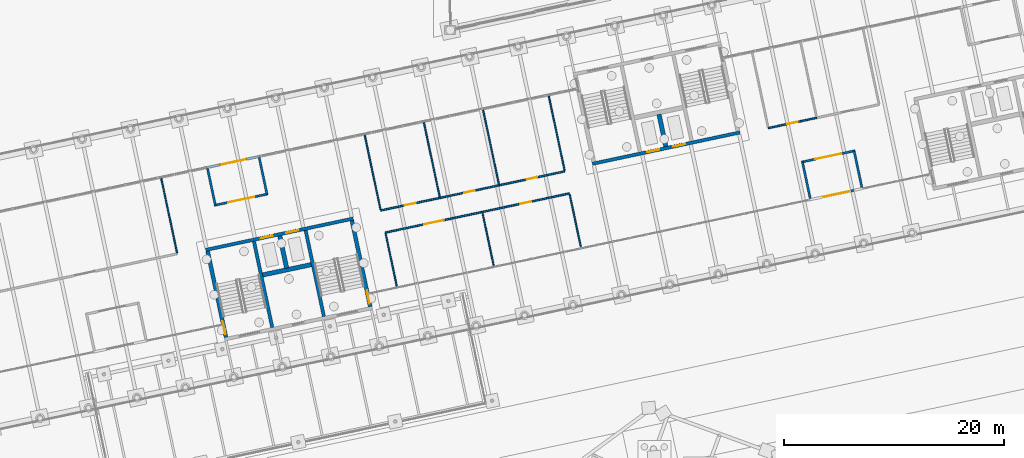
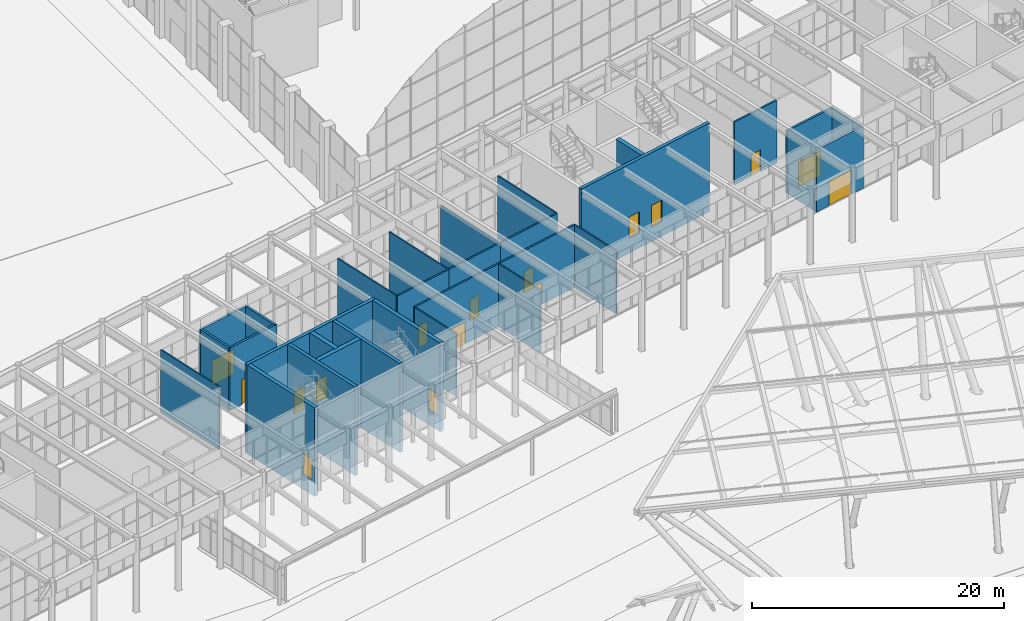
# One storey, part 172 of 239: 31 walls, 16 doors, 16 openings.
"""IFC4 building model written with IfcOpenShell, lengths in metres."""

from ifc_helpers import new_model, si_unit, direction, frame, frame_2d, origin, place, context, subcontext, project, spatial, rectangle, extrude, material, layer, layer_set, type_object, element, fill, save


model = new_model("IFC4")

# Units and contexts
model_context = context("Model", 3, precision=1e-05, world=origin(), true_north=direction((0.0, 1.0)))
body_context = subcontext(model_context, "Body", "Model", "MODEL_VIEW")
ifc_project = project(units=[si_unit("LENGTHUNIT", "METRE"), si_unit("AREAUNIT", "SQUARE_METRE"), si_unit("VOLUMEUNIT", "CUBIC_METRE"), si_unit("PLANEANGLEUNIT", "RADIAN"), si_unit("MASSUNIT", "GRAM", prefix="KILO")], contexts=[model_context])

# Site, building, storey
site_placement = place(None, origin())
site = spatial("IfcSite", under=ifc_project, at=site_placement, CompositionType="ELEMENT")
building_placement = place(site_placement, origin())
building = spatial("IfcBuilding", under=site, at=building_placement, Name="Okhra Congress Centre", CompositionType="ELEMENT")
storey_placement = place(building_placement, origin())
storey = spatial("IfcBuildingStorey", under=building, at=storey_placement, Name="L00", CompositionType="ELEMENT", Elevation=0.0)

# Wall, opening, door
ifc_material_1 = material(Name="Aluminium frame, triple glazing, laminated safety glass", Category="aluminium")
ifc_layer_1 = layer(ifc_material_1, 0.199951171875)
ifc_layer_set_1 = layer_set([ifc_layer_1], Name="Glazed entrance screen 200")
wall_type_1 = type_object("IfcWallType", Name="Glazed entrance screen 200", PredefinedType="SOLIDWALL", material=ifc_layer_set_1)
wall_1_placement = place(storey_placement, frame((188.134765625, 58.814208984375, 0.0), z_axis=(0.0, 0.0, 1.0), x_axis=(0.978146935828, 0.207914818928, 0.0)))
wall_1 = element("IfcWall", 1, at=wall_1_placement, inside=storey, type_object=wall_type_1, Name="Entrance screen 3", PredefinedType="SOLIDWALL", context=body_context, shape_type="SweptSolid", body=[
    extrude(rectangle(XDim=5.0, YDim=0.199951171875, at=frame_2d((2.5, 0.0))), origin(), (0.0, 0.0, 1.0), 6.050048828125),
])
opening_1_placement = place(wall_1_placement, frame((1.300048828125, 0.0, 0.0)))
opening_1 = element("IfcOpeningElement", 2, at=opening_1_placement, cuts=wall_1, Name="Opening L00-285", PredefinedType="OPENING", context=body_context, shape_type="SweptSolid", body=[
    extrude(rectangle(XDim=2.39990234375, YDim=2.39990234375, at=frame_2d((1.199951171875, 1.199951171875))), frame((0.0, 0.10986328125, 0.0), z_axis=(0.0, -1.0, 0.0), x_axis=(1.0, 0.0, 0.0)), (0.0, 0.0, 1.0), 0.219970703125),
])
ifc_material_2 = material(Name="Aluminium-framed toughened glass sliding leaves, thermally broken", Category="aluminium")
door_type_1 = type_object("IfcDoorType", Name="Automatic sliding glazed door 2400x2400", OperationType="DOUBLE_DOOR_SLIDING", PredefinedType="DOOR", material=ifc_material_2)
door_1_placement = place(opening_1_placement, frame((2.39990234375, 0.0, 0.0), z_axis=(0.0, 0.0, 1.0), x_axis=(-1.0, 0.0, 0.0)))
door_1 = element("IfcDoor", 3, at=door_1_placement, inside=storey, type_object=door_type_1, Name="Door L00-285", OperationType="DOUBLE_DOOR_SLIDING", OverallHeight=2.39990234375, OverallWidth=2.39990234375, PredefinedType="DOOR", context=body_context, shape_type="SweptSolid", body=[
    extrude(rectangle(XDim=2.39990234375, YDim=2.39990234375, at=frame_2d((1.199951171875, 1.199951171875))), frame((0.0, 0.02490234375, 0.0), z_axis=(0.0, -1.0, 0.0), x_axis=(1.0, 0.0, 0.0)), (0.0, 0.0, 1.0), 0.050048828125),
])
fill(opening_1, door_1)

wall_2_placement = place(storey_placement, frame((133.330078125, 61.7333984375, 0.0), z_axis=(0.0, 0.0, 1.0), x_axis=(0.978149046495, 0.207904888932, 0.0)))
wall_2 = element("IfcWall", 4, at=wall_2_placement, inside=storey, type_object=wall_type_1, Name="Entrance screen 5", PredefinedType="SOLIDWALL", context=body_context, shape_type="SweptSolid", body=[
    extrude(rectangle(XDim=5.000244140625, YDim=0.199951171875, at=frame_2d((2.5, 0.0))), origin(), (0.0, 0.0, 1.0), 6.050048828125),
])
opening_2_placement = place(wall_2_placement, frame((1.300048828125, 0.0, 0.0)))
opening_2 = element("IfcOpeningElement", 5, at=opening_2_placement, cuts=wall_2, Name="Opening L00-289", PredefinedType="OPENING", context=body_context, shape_type="SweptSolid", body=[
    extrude(rectangle(XDim=2.39990234375, YDim=2.39990234375, at=frame_2d((1.199951171875, 1.199951171875))), frame((0.0, 0.10986328125, 0.0), z_axis=(0.0, -1.0, 0.0), x_axis=(1.0, 0.0, 0.0)), (0.0, 0.0, 1.0), 0.219970703125),
])
door_2_placement = place(opening_2_placement, origin())
door_2 = element("IfcDoor", 6, at=door_2_placement, inside=storey, type_object=door_type_1, Name="Door L00-289", OperationType="DOUBLE_DOOR_SLIDING", OverallHeight=2.39990234375, OverallWidth=2.39990234375, PredefinedType="DOOR", context=body_context, shape_type="SweptSolid", body=[
    extrude(rectangle(XDim=2.39990234375, YDim=2.39990234375, at=frame_2d((1.199951171875, 1.199951171875))), frame((0.0, 0.02490234375, 0.0), z_axis=(0.0, -1.0, 0.0), x_axis=(1.0, 0.0, 0.0)), (0.0, 0.0, 1.0), 0.050048828125),
])
fill(opening_2, door_2)

ifc_layer_2 = layer(ifc_material_1, 0.199951171875)
ifc_layer_set_2 = layer_set([ifc_layer_2], Name="Glazed internal screen 200")
wall_type_2 = type_object("IfcWallType", Name="Glazed internal screen 200", PredefinedType="SOLIDWALL", material=ifc_layer_set_2)
wall_3_placement = place(storey_placement, frame((187.406982421875, 62.237548828125, 0.0), z_axis=(0.0, 0.0, 1.0), x_axis=(0.978149046495, 0.207904888932, 0.0)))
wall_3 = element("IfcWall", 7, at=wall_3_placement, inside=storey, type_object=wall_type_2, Name="Vestibule inner screen 3", PredefinedType="SOLIDWALL", context=body_context, shape_type="SweptSolid", body=[
    extrude(rectangle(XDim=5.000244140625, YDim=0.199951171875, at=frame_2d((2.5, 0.0))), origin(), (0.0, 0.0, 1.0), 6.050048828125),
])
opening_3_placement = place(wall_3_placement, frame((1.300048828125, 0.0, 0.0)))
opening_3 = element("IfcOpeningElement", 8, at=opening_3_placement, cuts=wall_3, Name="Opening L00-286", PredefinedType="OPENING", context=body_context, shape_type="SweptSolid", body=[
    extrude(rectangle(XDim=2.39990234375, YDim=2.39990234375, at=frame_2d((1.199951171875, 1.199951171875))), frame((0.0, 0.10986328125, 0.0), z_axis=(0.0, -1.0, 0.0), x_axis=(1.0, 0.0, 0.0)), (0.0, 0.0, 1.0), 0.219970703125),
])
door_3_placement = place(opening_3_placement, origin())
door_3 = element("IfcDoor", 9, at=door_3_placement, inside=storey, type_object=door_type_1, Name="Door L00-286", OperationType="DOUBLE_DOOR_SLIDING", OverallHeight=2.39990234375, OverallWidth=2.39990234375, PredefinedType="DOOR", context=body_context, shape_type="SweptSolid", body=[
    extrude(rectangle(XDim=2.39990234375, YDim=2.39990234375, at=frame_2d((1.199951171875, 1.199951171875))), frame((0.0, 0.02490234375, 0.0), z_axis=(0.0, -1.0, 0.0), x_axis=(1.0, 0.0, 0.0)), (0.0, 0.0, 1.0), 0.050048828125),
])
fill(opening_3, door_3)

# Walls
for number, where, z_axis, x_axis, name in (
    (10, (188.211669921875, 58.932861328125, 0.0), (0.0, 0.0, 1.0), (-0.207881084728, 0.978154105758, 0.0), "Vestibule side screen 3a"),
    (11, (192.906982421875, 59.9306640625, 0.0), (0.0, 0.0, 1.0), (-0.207949787024, 0.97813950236, 0.0), "Vestibule side screen 3b"),
):
    element("IfcWall", number, at=place(storey_placement, frame(where, z_axis=z_axis, x_axis=x_axis)), inside=storey, type_object=wall_type_2, Name=name, PredefinedType="SOLIDWALL", context=body_context, shape_type="SweptSolid", body=[
        extrude(rectangle(XDim=3.39990234375, YDim=0.199951171875, at=frame_2d((1.699951171875, 0.0))), origin(), (0.0, 0.0, 1.0), 6.050048828125),
    ])

# Wall, opening, door
wall_4_placement = place(storey_placement, frame((134.057861328125, 58.309814453125, 0.0), z_axis=(0.0, 0.0, 1.0), x_axis=(0.978149046495, 0.207904888932, 0.0)))
wall_4 = element("IfcWall", 12, at=wall_4_placement, inside=storey, type_object=wall_type_2, Name="Vestibule inner screen 5", PredefinedType="SOLIDWALL", context=body_context, shape_type="SweptSolid", body=[
    extrude(rectangle(XDim=5.000244140625, YDim=0.199951171875, at=frame_2d((2.5, 0.0))), origin(), (0.0, 0.0, 1.0), 6.050048828125),
])
opening_4_placement = place(wall_4_placement, frame((1.300048828125, 0.0, 0.0)))
opening_4 = element("IfcOpeningElement", 13, at=opening_4_placement, cuts=wall_4, Name="Opening L00-290", PredefinedType="OPENING", context=body_context, shape_type="SweptSolid", body=[
    extrude(rectangle(XDim=2.39990234375, YDim=2.39990234375, at=frame_2d((1.199951171875, 1.199951171875))), frame((0.0, 0.10986328125, 0.0), z_axis=(0.0, -1.0, 0.0), x_axis=(1.0, 0.0, 0.0)), (0.0, 0.0, 1.0), 0.219970703125),
])
door_4_placement = place(opening_4_placement, frame((2.39990234375, 0.0, 0.0), z_axis=(0.0, 0.0, 1.0), x_axis=(-1.0, 0.0, 0.0)))
door_4 = element("IfcDoor", 14, at=door_4_placement, inside=storey, type_object=door_type_1, Name="Door L00-290", OperationType="DOUBLE_DOOR_SLIDING", OverallHeight=2.39990234375, OverallWidth=2.39990234375, PredefinedType="DOOR", context=body_context, shape_type="SweptSolid", body=[
    extrude(rectangle(XDim=2.39990234375, YDim=2.39990234375, at=frame_2d((1.199951171875, 1.199951171875))), frame((0.0, 0.02490234375, 0.0), z_axis=(0.0, -1.0, 0.0), x_axis=(1.0, 0.0, 0.0)), (0.0, 0.0, 1.0), 0.050048828125),
])
fill(opening_4, door_4)

# Walls
for number, where, z_axis, x_axis, name in (
    (15, (133.44873046875, 61.656494140625, 0.0), (0.0, 0.0, 1.0), (0.207949787024, -0.97813950236, 0.0), "Vestibule side screen 5a"),
    (16, (138.143798828125, 62.654296875, 0.0), (0.0, 0.0, 1.0), (0.207949787024, -0.97813950236, 0.0), "Vestibule side screen 5b"),
):
    element("IfcWall", number, at=place(storey_placement, frame(where, z_axis=z_axis, x_axis=x_axis)), inside=storey, type_object=wall_type_2, Name=name, PredefinedType="SOLIDWALL", context=body_context, shape_type="SweptSolid", body=[
        extrude(rectangle(XDim=3.39990234375, YDim=0.199951171875, at=frame_2d((1.699951171875, 0.0))), origin(), (0.0, 0.0, 1.0), 6.050048828125),
    ])
ifc_material_3 = material(Name="Gypsum board on steel studs", Category="steel")
ifc_layer_3 = layer(ifc_material_3, 0.125)
ifc_layer_set_3 = layer_set([ifc_layer_3], Name="Partition 125")
wall_type_3 = type_object("IfcWallType", Name="Partition 125", PredefinedType="PARTITIONING", material=ifc_layer_set_3)
for number, where, z_axis, x_axis, name in (
    (17, (129.24267578125, 60.762451171875, 0.0), (0.0, 0.0, 1.0), (0.207932543024, -0.978143168228, 0.0), "Room side wall 2b"),
    (18, (147.729736328125, 64.69189453125, 0.0), (0.0, 0.0, 1.0), (0.207898812171, -0.978150338086, 0.0), "Room side wall 3a"),
    (19, (153.109619140625, 65.83544921875, 0.0), (0.0, 0.0, 1.0), (0.207898812171, -0.978150338086, 0.0), "Room side wall 3b"),
    (20, (158.4892578125, 66.97900390625, 0.0), (0.0, 0.0, 1.0), (0.207932543024, -0.978143168228, 0.0), "Room side wall 4b"),
    (21, (164.4560546875, 68.247314453125, 0.0), (0.0, 0.0, 1.0), (0.207898812171, -0.978150338086, 0.0), "Room side wall 5b"),
):
    element("IfcWall", number, at=place(storey_placement, frame(where, z_axis=z_axis, x_axis=x_axis)), inside=storey, type_object=wall_type_3, Name=name, PredefinedType="PARTITIONING", context=body_context, shape_type="SweptSolid", body=[
        extrude(rectangle(XDim=6.925048828125, YDim=0.125, at=frame_2d((3.46240234375, 0.0))), origin(), (0.0, 0.0, 1.0), 6.10009765625),
    ])
for number, where, z_axis, x_axis, name in (
    (22, (150.65087890625, 50.948974609375, 0.0), (0.0, 0.0, 1.0), (-0.207903814067, 0.978149274956, 0.0), "Room side wall 8a"),
    (23, (159.454345703125, 52.820068359375, 0.0), (0.0, 0.0, 1.0), (-0.20795124237, 0.978139192956, 0.0), "Room side wall 8b"),
    (24, (167.377197265625, 54.504150390625, 0.0), (0.0, 0.0, 1.0), (-0.207903814067, 0.978149274956, 0.0), "Room side wall 9b"),
):
    element("IfcWall", number, at=place(storey_placement, frame(where, z_axis=z_axis, x_axis=x_axis)), inside=storey, type_object=wall_type_3, Name=name, PredefinedType="PARTITIONING", context=body_context, shape_type="SweptSolid", body=[
        extrude(rectangle(XDim=4.925048828125, YDim=0.125, at=frame_2d((2.46240234375, 0.0))), origin(), (0.0, 0.0, 1.0), 6.10009765625),
    ])

# Wall, opening, door
ifc_layer_4 = layer(ifc_material_3, 0.14990234375)
ifc_layer_set_4 = layer_set([ifc_layer_4], Name="Partition 150 EI 15")
wall_type_4 = type_object("IfcWallType", Name="Partition 150 EI 15", PredefinedType="PARTITIONING", material=ifc_layer_set_4)
wall_5_placement = place(storey_placement, frame((149.18505859375, 57.844970703125, 0.0), z_axis=(0.0, 0.0, 1.0), x_axis=(0.978155692013, 0.207873620698, 0.0)))
wall_5 = element("IfcWall", 25, at=wall_5_placement, inside=storey, type_object=wall_type_4, Name="Room front wall 3", PredefinedType="PARTITIONING", context=body_context, shape_type="SweptSolid", body=[
    extrude(rectangle(XDim=5.5, YDim=0.14990234375, at=frame_2d((2.75, 0.0))), origin(), (0.0, 0.0, 1.0), 6.10009765625),
])
opening_5_placement = place(wall_5_placement, frame((2.25, 0.0, 0.0)))
opening_5 = element("IfcOpeningElement", 26, at=opening_5_placement, cuts=wall_5, Name="Opening L00-295", PredefinedType="OPENING", context=body_context, shape_type="SweptSolid", body=[
    extrude(rectangle(XDim=1.0, YDim=2.10009765625, at=frame_2d((0.5, 1.050048828125))), frame((0.0, 0.0849609375, 0.0), z_axis=(0.0, -1.0, 0.0), x_axis=(1.0, 0.0, 0.0)), (0.0, 0.0, 1.0), 0.169921875),
])
ifc_material_4 = material(Name="Timber door leaf in steel frame", Category="steel")
door_type_2 = type_object("IfcDoorType", Name="Single swing door 1000x2100", OperationType="NOTDEFINED", PredefinedType="DOOR", material=ifc_material_4)
door_5_placement = place(opening_5_placement, origin())
door_5 = element("IfcDoor", 27, at=door_5_placement, inside=storey, type_object=door_type_2, Name="Door L00-295", OperationType="SINGLE_SWING_LEFT", OverallHeight=2.10009765625, OverallWidth=1.0, PredefinedType="DOOR", context=body_context, shape_type="SweptSolid", body=[
    extrude(rectangle(XDim=1.0, YDim=2.10009765625, at=frame_2d((0.5, 1.050048828125))), frame((0.0, 0.02490234375, 0.0), z_axis=(0.0, -1.0, 0.0), x_axis=(1.0, 0.0, 0.0)), (0.0, 0.0, 1.0), 0.050048828125),
])
fill(opening_5, door_5)

wall_6_placement = place(storey_placement, frame((154.56494140625, 58.98828125, 0.0), z_axis=(0.0, 0.0, 1.0), x_axis=(0.978146665439, 0.207916090984, 0.0)))
wall_6 = element("IfcWall", 28, at=wall_6_placement, inside=storey, type_object=wall_type_4, Name="Room front wall 4", PredefinedType="PARTITIONING", context=body_context, shape_type="SweptSolid", body=[
    extrude(rectangle(XDim=5.5, YDim=0.14990234375, at=frame_2d((2.75, 0.0))), origin(), (0.0, 0.0, 1.0), 6.10009765625),
])
opening_6_placement = place(wall_6_placement, frame((2.25, 0.0, 0.0)))
opening_6 = element("IfcOpeningElement", 29, at=opening_6_placement, cuts=wall_6, Name="Opening L00-296", PredefinedType="OPENING", context=body_context, shape_type="SweptSolid", body=[
    extrude(rectangle(XDim=1.0, YDim=2.10009765625, at=frame_2d((0.5, 1.050048828125))), frame((0.0, 0.0849609375, 0.0), z_axis=(0.0, -1.0, 0.0), x_axis=(1.0, 0.0, 0.0)), (0.0, 0.0, 1.0), 0.169921875),
])
door_6_placement = place(opening_6_placement, origin())
door_6 = element("IfcDoor", 30, at=door_6_placement, inside=storey, type_object=door_type_2, Name="Door L00-296", OperationType="SINGLE_SWING_RIGHT", OverallHeight=2.10009765625, OverallWidth=1.0, PredefinedType="DOOR", context=body_context, shape_type="SweptSolid", body=[
    extrude(rectangle(XDim=1.0, YDim=2.10009765625, at=frame_2d((0.5, 1.050048828125))), frame((0.0, 0.02490234375, 0.0), z_axis=(0.0, -1.0, 0.0), x_axis=(1.0, 0.0, 0.0)), (0.0, 0.0, 1.0), 0.050048828125),
])
fill(opening_6, door_6)

wall_7_placement = place(storey_placement, frame((159.94482421875, 60.1318359375, 0.0), z_axis=(0.0, 0.0, 1.0), x_axis=(0.978144913043, 0.207924335008, 0.0)))
wall_7 = element("IfcWall", 31, at=wall_7_placement, inside=storey, type_object=wall_type_4, Name="Room front wall 5", PredefinedType="PARTITIONING", context=body_context, shape_type="SweptSolid", body=[
    extrude(rectangle(XDim=6.099853515625, YDim=0.14990234375, at=frame_2d((3.0498046875, 0.0))), origin(), (0.0, 0.0, 1.0), 6.10009765625),
])
opening_7_placement = place(wall_7_placement, frame((2.550048828125, 0.0, 0.0)))
opening_7 = element("IfcOpeningElement", 32, at=opening_7_placement, cuts=wall_7, Name="Opening L00-297", PredefinedType="OPENING", context=body_context, shape_type="SweptSolid", body=[
    extrude(rectangle(XDim=1.0, YDim=2.10009765625, at=frame_2d((0.5, 1.050048828125))), frame((0.0, 0.0849609375, 0.0), z_axis=(0.0, -1.0, 0.0), x_axis=(1.0, 0.0, 0.0)), (0.0, 0.0, 1.0), 0.169921875),
])
door_7_placement = place(opening_7_placement, origin())
door_7 = element("IfcDoor", 33, at=door_7_placement, inside=storey, type_object=door_type_2, Name="Door L00-297", OperationType="SINGLE_SWING_LEFT", OverallHeight=2.10009765625, OverallWidth=1.0, PredefinedType="DOOR", context=body_context, shape_type="SweptSolid", body=[
    extrude(rectangle(XDim=1.0, YDim=2.10009765625, at=frame_2d((0.5, 1.050048828125))), frame((0.0, 0.02490234375, 0.0), z_axis=(0.0, -1.0, 0.0), x_axis=(1.0, 0.0, 0.0)), (0.0, 0.0, 1.0), 0.050048828125),
])
fill(opening_7, door_7)

wall_8_placement = place(storey_placement, frame((184.3984375, 65.32958984375, 0.0), z_axis=(0.0, 0.0, 1.0), x_axis=(0.978138577198, 0.207954138688, 0.0)))
wall_8 = element("IfcWall", 34, at=wall_8_placement, inside=storey, type_object=wall_type_4, Name="Room front wall 6", PredefinedType="PARTITIONING", context=body_context, shape_type="SweptSolid", body=[
    extrude(rectangle(XDim=4.5, YDim=0.14990234375, at=frame_2d((2.25, 0.0))), origin(), (0.0, 0.0, 1.0), 6.10009765625),
])
opening_8_placement = place(wall_8_placement, frame((1.75, 0.0, 0.0)))
opening_8 = element("IfcOpeningElement", 35, at=opening_8_placement, cuts=wall_8, Name="Opening L00-298", PredefinedType="OPENING", context=body_context, shape_type="SweptSolid", body=[
    extrude(rectangle(XDim=1.0, YDim=2.10009765625, at=frame_2d((0.5, 1.050048828125))), frame((0.0, 0.0849609375, 0.0), z_axis=(0.0, -1.0, 0.0), x_axis=(1.0, 0.0, 0.0)), (0.0, 0.0, 1.0), 0.169921875),
])
door_8_placement = place(opening_8_placement, origin())
door_8 = element("IfcDoor", 36, at=door_8_placement, inside=storey, type_object=door_type_2, Name="Door L00-298", OperationType="SINGLE_SWING_RIGHT", OverallHeight=2.10009765625, OverallWidth=1.0, PredefinedType="DOOR", context=body_context, shape_type="SweptSolid", body=[
    extrude(rectangle(XDim=1.0, YDim=2.10009765625, at=frame_2d((0.5, 1.050048828125))), frame((0.0, 0.02490234375, 0.0), z_axis=(0.0, -1.0, 0.0), x_axis=(1.0, 0.0, 0.0)), (0.0, 0.0, 1.0), 0.050048828125),
])
fill(opening_8, door_8)

wall_9_placement = place(storey_placement, frame((149.611328125, 55.839599609375, 0.0), z_axis=(0.0, 0.0, 1.0), x_axis=(0.978145267458, 0.207922667713, 0.0)))
wall_9 = element("IfcWall", 37, at=wall_9_placement, inside=storey, type_object=wall_type_4, Name="Room front wall 8", PredefinedType="PARTITIONING", context=body_context, shape_type="SweptSolid", body=[
    extrude(rectangle(XDim=9.000244140625, YDim=0.14990234375, at=frame_2d((4.5, 0.0))), origin(), (0.0, 0.0, 1.0), 6.10009765625),
])
opening_9_placement = place(wall_9_placement, frame((3.60009765625, 0.0, 0.0)))
opening_9 = element("IfcOpeningElement", 38, at=opening_9_placement, cuts=wall_9, Name="Opening L00-300", PredefinedType="OPENING", context=body_context, shape_type="SweptSolid", body=[
    extrude(rectangle(XDim=1.800048828125, YDim=2.10009765625, at=frame_2d((0.89990234375, 1.050048828125))), frame((0.0, 0.0849609375, 0.0), z_axis=(0.0, -1.0, 0.0), x_axis=(1.0, 0.0, 0.0)), (0.0, 0.0, 1.0), 0.169921875),
])
ifc_material_5 = material(Name="Timber door leaves in steel frame", Category="steel")
door_type_3 = type_object("IfcDoorType", Name="Double swing door 1800x2100", OperationType="NOTDEFINED", PredefinedType="DOOR", material=ifc_material_5)
door_9_placement = place(opening_9_placement, frame((1.800048828125, 0.0, 0.0), z_axis=(0.0, 0.0, 1.0), x_axis=(-1.0, 0.0, 0.0)))
door_9 = element("IfcDoor", 39, at=door_9_placement, inside=storey, type_object=door_type_3, Name="Door L00-300", OperationType="DOUBLE_DOOR_SINGLE_SWING", OverallHeight=2.10009765625, OverallWidth=1.800048828125, PredefinedType="DOOR", context=body_context, shape_type="SweptSolid", body=[
    extrude(rectangle(XDim=1.800048828125, YDim=2.10009765625, at=frame_2d((0.89990234375, 1.050048828125))), frame((0.0, 0.02490234375, 0.0), z_axis=(0.0, -1.0, 0.0), x_axis=(1.0, 0.0, 0.0)), (0.0, 0.0, 1.0), 0.050048828125),
])
fill(opening_9, door_9)

wall_10_placement = place(storey_placement, frame((158.414794921875, 57.7109375, 0.0), z_axis=(0.0, 0.0, 1.0), x_axis=(0.978146899108, 0.207914991681, 0.0)))
wall_10 = element("IfcWall", 40, at=wall_10_placement, inside=storey, type_object=wall_type_4, Name="Room front wall 9", PredefinedType="PARTITIONING", context=body_context, shape_type="SweptSolid", body=[
    extrude(rectangle(XDim=8.099853515625, YDim=0.14990234375, at=frame_2d((4.0498046875, 0.0))), origin(), (0.0, 0.0, 1.0), 6.10009765625),
])
opening_10_placement = place(wall_10_placement, frame((3.550048828125, 0.0, 0.0)))
opening_10 = element("IfcOpeningElement", 41, at=opening_10_placement, cuts=wall_10, Name="Opening L00-301", PredefinedType="OPENING", context=body_context, shape_type="SweptSolid", body=[
    extrude(rectangle(XDim=1.0, YDim=2.10009765625, at=frame_2d((0.5, 1.050048828125))), frame((0.0, 0.0849609375, 0.0), z_axis=(0.0, -1.0, 0.0), x_axis=(1.0, 0.0, 0.0)), (0.0, 0.0, 1.0), 0.169921875),
])
door_10_placement = place(opening_10_placement, frame((1.0, 0.0, 0.0), z_axis=(0.0, 0.0, 1.0), x_axis=(-1.0, 0.0, 0.0)))
door_10 = element("IfcDoor", 42, at=door_10_placement, inside=storey, type_object=door_type_2, Name="Door L00-301", OperationType="SINGLE_SWING_RIGHT", OverallHeight=2.10009765625, OverallWidth=1.0, PredefinedType="DOOR", context=body_context, shape_type="SweptSolid", body=[
    extrude(rectangle(XDim=1.0, YDim=2.10009765625, at=frame_2d((0.5, 1.050048828125))), frame((0.0, 0.02490234375, 0.0), z_axis=(0.0, -1.0, 0.0), x_axis=(1.0, 0.0, 0.0)), (0.0, 0.0, 1.0), 0.050048828125),
])
fill(opening_10, door_10)

# Wall, openings, doors
ifc_material_6 = material(Name="Concrete C35/45", Category="concrete")
ifc_layer_5 = layer(ifc_material_6, 0.300048828125)
ifc_layer_set_5 = layer_set([ifc_layer_5], Name="RC core wall 300 REI 120 C35/45")
wall_type_5 = type_object("IfcWallType", Name="RC core wall 300 REI 120 C35/45", PredefinedType="SHEAR", material=ifc_layer_set_5)
wall_11_placement = place(storey_placement, frame((133.282958984375, 54.26025390625, -1.39990234375), z_axis=(0.0, 0.0, 1.0), x_axis=(0.978147662755, 0.20791139903, 0.0)))
wall_11 = element("IfcWall", 43, at=wall_11_placement, inside=storey, type_object=wall_type_5, Name="BX.WALL.L00.K3T", PredefinedType="SHEAR", context=body_context, shape_type="SweptSolid", body=[
    extrude(rectangle(XDim=13.699951171875, YDim=0.300048828125, at=frame_2d((6.85009765625, 0.0))), origin(), (0.0, 0.0, 1.0), 8.599853515625),
])
opening_11_placement = place(wall_11_placement, frame((5.10009765625, 0.0, 1.39990234375)))
opening_11 = element("IfcOpeningElement", 44, at=opening_11_placement, cuts=wall_11, Name="Opening L00-260", PredefinedType="OPENING", context=body_context, shape_type="SweptSolid", body=[
    extrude(rectangle(XDim=1.10009765625, YDim=2.10009765625, at=frame_2d((0.550048828125, 1.050048828125))), frame((0.0, 0.159912109375, 0.0), z_axis=(0.0, -1.0, 0.0), x_axis=(1.0, 0.0, 0.0)), (0.0, 0.0, 1.0), 0.320068359375),
])
opening_12_placement = place(wall_11_placement, frame((7.5, 0.0, 1.39990234375)))
opening_12 = element("IfcOpeningElement", 45, at=opening_12_placement, cuts=wall_11, Name="Opening L00-261", PredefinedType="OPENING", context=body_context, shape_type="SweptSolid", body=[
    extrude(rectangle(XDim=1.10009765625, YDim=2.10009765625, at=frame_2d((0.550048828125, 1.050048828125))), frame((0.0, 0.159912109375, 0.0), z_axis=(0.0, -1.0, 0.0), x_axis=(1.0, 0.0, 0.0)), (0.0, 0.0, 1.0), 0.320068359375),
])
ifc_material_7 = material(Name="Stainless steel sliding landing door leaves", Category="steel")
door_type_4 = type_object("IfcDoorType", Name="Lift landing door 1100x2100 EI 30", OperationType="DOUBLE_DOOR_SLIDING", PredefinedType="DOOR", material=ifc_material_7)
door_11_placement = place(opening_11_placement, origin())
door_11 = element("IfcDoor", 46, at=door_11_placement, inside=storey, type_object=door_type_4, Name="Door L00-260", OperationType="DOUBLE_DOOR_SLIDING", OverallHeight=2.10009765625, OverallWidth=1.10009765625, PredefinedType="DOOR", context=body_context, shape_type="SweptSolid", body=[
    extrude(rectangle(XDim=1.10009765625, YDim=2.10009765625, at=frame_2d((0.550048828125, 1.050048828125))), frame((0.0, 0.02490234375, 0.0), z_axis=(0.0, -1.0, 0.0), x_axis=(1.0, 0.0, 0.0)), (0.0, 0.0, 1.0), 0.050048828125),
])
fill(opening_11, door_11)
door_12_placement = place(opening_12_placement, origin())
door_12 = element("IfcDoor", 47, at=door_12_placement, inside=storey, type_object=door_type_4, Name="Door L00-261", OperationType="DOUBLE_DOOR_SLIDING", OverallHeight=2.10009765625, OverallWidth=1.10009765625, PredefinedType="DOOR", context=body_context, shape_type="SweptSolid", body=[
    extrude(rectangle(XDim=1.10009765625, YDim=2.10009765625, at=frame_2d((0.550048828125, 1.050048828125))), frame((0.0, 0.02490234375, 0.0), z_axis=(0.0, -1.0, 0.0), x_axis=(1.0, 0.0, 0.0)), (0.0, 0.0, 1.0), 0.050048828125),
])
fill(opening_12, door_12)

# Walls
for number, where, z_axis, x_axis, name in (
    (48, (139.330078125, 47.213623046875, -1.39990234375), (0.0, 0.0, 1.0), (-0.207915693476, 0.978146749934, 0.0), "BX.WALL.L00.K3P1"),
    (49, (144.025146484375, 48.211669921875, -1.39990234375), (0.0, 0.0, 1.0), (-0.207886494942, 0.978152955943, 0.0), "BX.WALL.L00.K3P2"),
):
    element("IfcWall", number, at=place(storey_placement, frame(where, z_axis=z_axis, x_axis=x_axis)), inside=storey, type_object=wall_type_5, Name=name, PredefinedType="SHEAR", context=body_context, shape_type="SweptSolid", body=[
        extrude(rectangle(XDim=8.0, YDim=0.300048828125, at=frame_2d((4.0, 0.0))), origin(), (0.0, 0.0, 1.0), 8.599853515625),
    ])

# Wall, openings, doors
wall_12_placement = place(storey_placement, frame((168.42333984375, 62.08740234375, -1.39990234375), z_axis=(0.0, 0.0, 1.0), x_axis=(0.978147662755, 0.20791139903, 0.0)))
wall_12 = element("IfcWall", 50, at=wall_12_placement, inside=storey, type_object=wall_type_5, Name="BX.WALL.L00.K4T", PredefinedType="SHEAR", context=body_context, shape_type="SweptSolid", body=[
    extrude(rectangle(XDim=13.699951171875, YDim=0.300048828125, at=frame_2d((6.85009765625, 0.0))), origin(), (0.0, 0.0, 1.0), 8.599853515625),
])
opening_13_placement = place(wall_12_placement, frame((5.10009765625, 0.0, 1.39990234375)))
opening_13 = element("IfcOpeningElement", 51, at=opening_13_placement, cuts=wall_12, Name="Opening L00-267", PredefinedType="OPENING", context=body_context, shape_type="SweptSolid", body=[
    extrude(rectangle(XDim=1.10009765625, YDim=2.10009765625, at=frame_2d((0.550048828125, 1.050048828125))), frame((0.0, 0.159912109375, 0.0), z_axis=(0.0, -1.0, 0.0), x_axis=(1.0, 0.0, 0.0)), (0.0, 0.0, 1.0), 0.320068359375),
])
opening_14_placement = place(wall_12_placement, frame((7.5, 0.0, 1.39990234375)))
opening_14 = element("IfcOpeningElement", 52, at=opening_14_placement, cuts=wall_12, Name="Opening L00-268", PredefinedType="OPENING", context=body_context, shape_type="SweptSolid", body=[
    extrude(rectangle(XDim=1.10009765625, YDim=2.10009765625, at=frame_2d((0.550048828125, 1.050048828125))), frame((0.0, 0.159912109375, 0.0), z_axis=(0.0, -1.0, 0.0), x_axis=(1.0, 0.0, 0.0)), (0.0, 0.0, 1.0), 0.320068359375),
])
door_13_placement = place(opening_13_placement, frame((1.10009765625, 0.0, 0.0), z_axis=(0.0, 0.0, 1.0), x_axis=(-1.0, 0.0, 0.0)))
door_13 = element("IfcDoor", 53, at=door_13_placement, inside=storey, type_object=door_type_4, Name="Door L00-267", OperationType="DOUBLE_DOOR_SLIDING", OverallHeight=2.10009765625, OverallWidth=1.10009765625, PredefinedType="DOOR", context=body_context, shape_type="SweptSolid", body=[
    extrude(rectangle(XDim=1.10009765625, YDim=2.10009765625, at=frame_2d((0.550048828125, 1.050048828125))), frame((0.0, 0.02490234375, 0.0), z_axis=(0.0, -1.0, 0.0), x_axis=(1.0, 0.0, 0.0)), (0.0, 0.0, 1.0), 0.050048828125),
])
fill(opening_13, door_13)
door_14_placement = place(opening_14_placement, frame((1.10009765625, 0.0, 0.0), z_axis=(0.0, 0.0, 1.0), x_axis=(-1.0, 0.0, 0.0)))
door_14 = element("IfcDoor", 54, at=door_14_placement, inside=storey, type_object=door_type_4, Name="Door L00-268", OperationType="DOUBLE_DOOR_SLIDING", OverallHeight=2.10009765625, OverallWidth=1.10009765625, PredefinedType="DOOR", context=body_context, shape_type="SweptSolid", body=[
    extrude(rectangle(XDim=1.10009765625, YDim=2.10009765625, at=frame_2d((0.550048828125, 1.050048828125))), frame((0.0, 0.02490234375, 0.0), z_axis=(0.0, -1.0, 0.0), x_axis=(1.0, 0.0, 0.0)), (0.0, 0.0, 1.0), 0.050048828125),
])
fill(opening_14, door_14)

# Walls
ifc_layer_6 = layer(ifc_material_6, 0.39990234375)
ifc_layer_set_6 = layer_set([ifc_layer_6], Name="RC core wall 400 REI 120 C35/45")
wall_type_6 = type_object("IfcWallType", Name="RC core wall 400 REI 120 C35/45", PredefinedType="SHEAR", material=ifc_layer_set_6)
wall_13_placement = place(storey_placement, frame((140.63818359375, 52.603271484375, -1.39990234375), z_axis=(0.0, 0.0, 1.0), x_axis=(-0.207917150959, 0.978146440129, 0.0)))
element("IfcWall", 55, at=wall_13_placement, inside=storey, type_object=wall_type_6, Name="BX.WALL.L00.K3D", PredefinedType="SHEAR", context=body_context, shape_type="SweptSolid", body=[
    extrude(rectangle(XDim=3.000244140625, YDim=0.39990234375, at=frame_2d((1.5, 0.0))), origin(), (0.0, 0.0, 1.0), 8.599853515625),
])
wall_14_placement = place(storey_placement, frame((138.468505859375, 51.98876953125, -1.39990234375), z_axis=(0.0, 0.0, 1.0), x_axis=(0.978149611564, 0.20790223038, 0.0)))
element("IfcWall", 56, at=wall_14_placement, inside=storey, type_object=wall_type_6, Name="BX.WALL.L00.K3R", PredefinedType="SHEAR", context=body_context, shape_type="SweptSolid", body=[
    extrude(rectangle(XDim=4.5, YDim=0.39990234375, at=frame_2d((2.25, 0.0))), origin(), (0.0, 0.0, 1.0), 8.599853515625),
])
wall_15_placement = place(storey_placement, frame((174.46875, 66.5927734375, -1.39990234375), z_axis=(0.0, 0.0, 1.0), x_axis=(0.207933702079, -0.978142921837, 0.0)))
element("IfcWall", 57, at=wall_15_placement, inside=storey, type_object=wall_type_6, Name="BX.WALL.L00.K4D", PredefinedType="SHEAR", context=body_context, shape_type="SweptSolid", body=[
    extrude(rectangle(XDim=3.0, YDim=0.39990234375, at=frame_2d((1.5, 0.0))), origin(), (0.0, 0.0, 1.0), 8.599853515625),
])

# Wall, opening, door
ifc_material_8 = material(Name="Concrete C30/37", Category="concrete")
ifc_layer_7 = layer(ifc_material_8, 0.35009765625)
ifc_layer_set_7 = layer_set([ifc_layer_7], Name="RC wall 350 REI 120 C30/37")
wall_type_7 = type_object("IfcWallType", Name="RC wall 350 REI 120 C30/37", PredefinedType="SOLIDWALL", material=ifc_layer_set_7)
wall_16_placement = place(storey_placement, frame((135.1240234375, 46.319580078125, -1.39990234375), z_axis=(0.0, 0.0, 1.0), x_axis=(-0.207886494942, 0.978152955943, 0.0)))
wall_16 = element("IfcWall", 58, at=wall_16_placement, inside=storey, type_object=wall_type_7, Name="BX.WALL.L00.K3W", PredefinedType="SOLIDWALL", context=body_context, shape_type="SweptSolid", body=[
    extrude(rectangle(XDim=8.0, YDim=0.35009765625, at=frame_2d((4.0, 0.0))), origin(), (0.0, 0.0, 1.0), 8.599853515625),
])
opening_15_placement = place(wall_16_placement, frame((0.300048828125, 0.0, 1.39990234375)))
opening_15 = element("IfcOpeningElement", 59, at=opening_15_placement, cuts=wall_16, Name="Opening L00-262", PredefinedType="OPENING", context=body_context, shape_type="SweptSolid", body=[
    extrude(rectangle(XDim=1.199951171875, YDim=2.10009765625, at=frame_2d((0.60009765625, 1.050048828125))), frame((0.0, 0.18505859375, 0.0), z_axis=(0.0, -1.0, 0.0), x_axis=(1.0, 0.0, 0.0)), (0.0, 0.0, 1.0), 0.3701171875),
])
ifc_material_9 = material(Name="Steel fire door leaf in steel frame, intumescent seals", Category="steel")
door_type_5 = type_object("IfcDoorType", Name="Steel fire door 1200x2100 EI 30", OperationType="NOTDEFINED", PredefinedType="DOOR", material=ifc_material_9)
door_15_placement = place(opening_15_placement, origin())
door_15 = element("IfcDoor", 60, at=door_15_placement, inside=storey, type_object=door_type_5, Name="Door L00-262", OperationType="SINGLE_SWING_LEFT", OverallHeight=2.10009765625, OverallWidth=1.199951171875, PredefinedType="DOOR", context=body_context, shape_type="SweptSolid", body=[
    extrude(rectangle(XDim=1.199951171875, YDim=2.10009765625, at=frame_2d((0.60009765625, 1.050048828125))), frame((0.0, 0.02490234375, 0.0), z_axis=(0.0, -1.0, 0.0), x_axis=(1.0, 0.0, 0.0)), (0.0, 0.0, 1.0), 0.050048828125),
])
fill(opening_15, door_15)

wall_17_placement = place(storey_placement, frame((148.231201171875, 49.10546875, -1.39990234375), z_axis=(0.0, 0.0, 1.0), x_axis=(-0.207886494942, 0.978152955943, 0.0)))
wall_17 = element("IfcWall", 61, at=wall_17_placement, inside=storey, type_object=wall_type_7, Name="BX.WALL.L00.K3E", PredefinedType="SOLIDWALL", context=body_context, shape_type="SweptSolid", body=[
    extrude(rectangle(XDim=8.0, YDim=0.35009765625, at=frame_2d((4.0, 0.0))), origin(), (0.0, 0.0, 1.0), 8.599853515625),
])
opening_16_placement = place(wall_17_placement, frame((0.300048828125, 0.0, 1.39990234375)))
opening_16 = element("IfcOpeningElement", 62, at=opening_16_placement, cuts=wall_17, Name="Opening L00-263", PredefinedType="OPENING", context=body_context, shape_type="SweptSolid", body=[
    extrude(rectangle(XDim=1.199951171875, YDim=2.10009765625, at=frame_2d((0.60009765625, 1.050048828125))), frame((0.0, 0.18505859375, 0.0), z_axis=(0.0, -1.0, 0.0), x_axis=(1.0, 0.0, 0.0)), (0.0, 0.0, 1.0), 0.3701171875),
])
door_16_placement = place(opening_16_placement, frame((1.199951171875, 0.0, 0.0), z_axis=(0.0, 0.0, 1.0), x_axis=(-1.0, 0.0, 0.0)))
door_16 = element("IfcDoor", 63, at=door_16_placement, inside=storey, type_object=door_type_5, Name="Door L00-263", OperationType="SINGLE_SWING_LEFT", OverallHeight=2.10009765625, OverallWidth=1.199951171875, PredefinedType="DOOR", context=body_context, shape_type="SweptSolid", body=[
    extrude(rectangle(XDim=1.199951171875, YDim=2.10009765625, at=frame_2d((0.60009765625, 1.050048828125))), frame((0.0, 0.02490234375, 0.0), z_axis=(0.0, -1.0, 0.0), x_axis=(1.0, 0.0, 0.0)), (0.0, 0.0, 1.0), 0.050048828125),
])
fill(opening_16, door_16)

save(model, "model.ifc")
